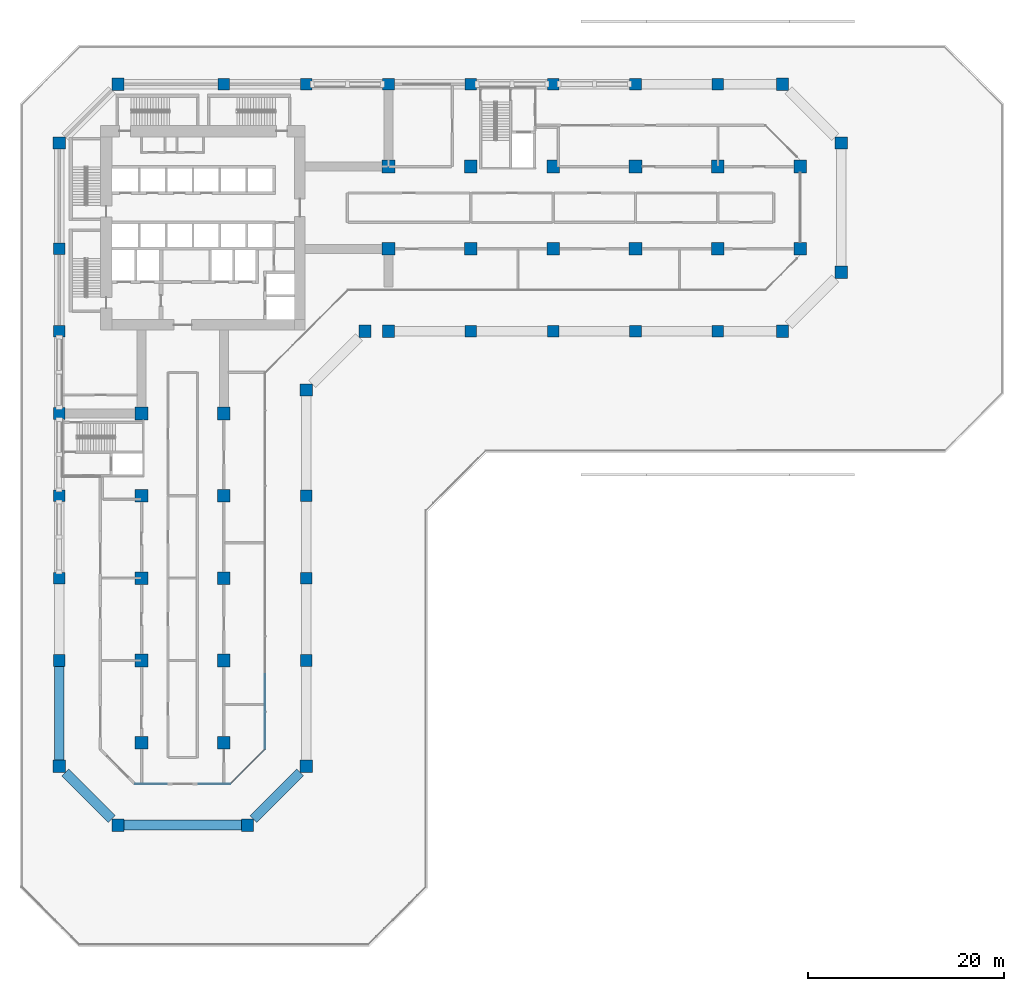
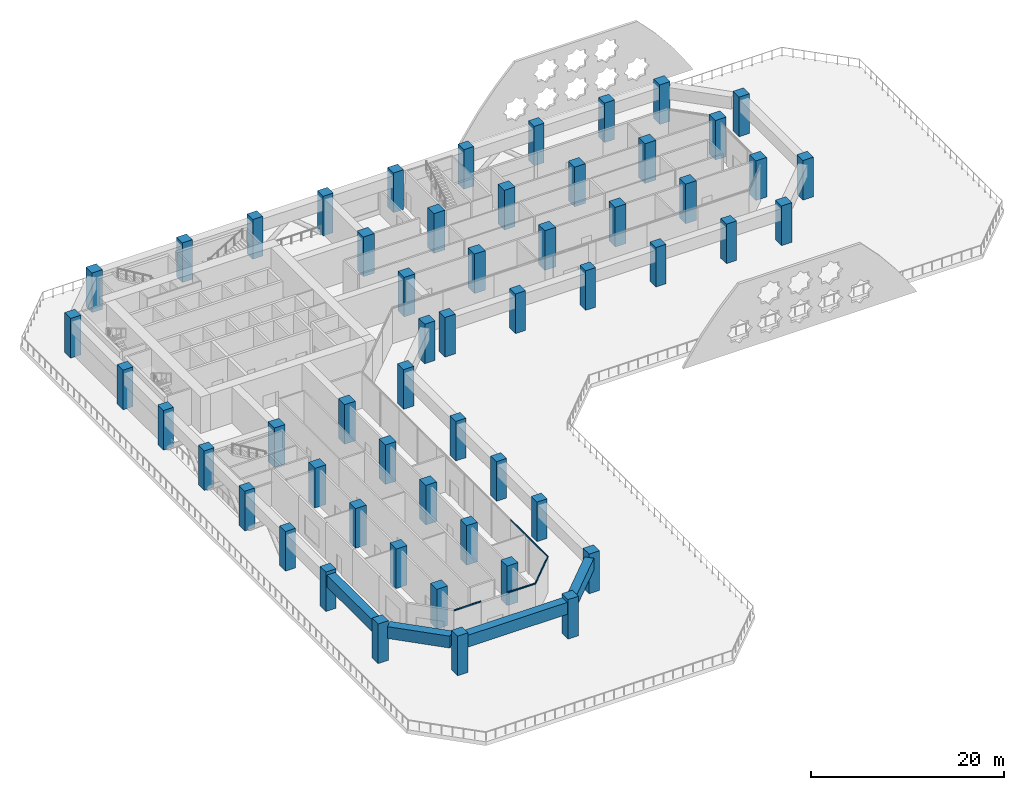
# One storey, part 1 of 19: 55 columns, 4 beams, 4 members, 3 elements without a shape of their own.
"""IFC4 building model written with IfcOpenShell, lengths in metres."""

from ifc_helpers import new_model, si_unit, direction, frame, origin, origin_2d, place, context, subcontext, project, spatial, rectangle, extrude, material, layer, layer_set, material_profile, profile_set, type_object, element, aggregate, save


model = new_model("IFC4")

# Units and contexts
model_context = context("Model", 3, precision=1e-05, world=origin(), true_north=direction((0.0, 1.0)))
body_context = subcontext(model_context, "Body", "Model", "MODEL_VIEW")
ifc_project = project(units=[si_unit("LENGTHUNIT", "METRE"), si_unit("AREAUNIT", "SQUARE_METRE"), si_unit("VOLUMEUNIT", "CUBIC_METRE"), si_unit("PLANEANGLEUNIT", "RADIAN"), si_unit("MASSUNIT", "GRAM", prefix="KILO")], contexts=[model_context])

# Site, building, storey
site_placement = place(None, origin())
site = spatial("IfcSite", under=ifc_project, at=site_placement, CompositionType="ELEMENT")
building_placement = place(site_placement, origin())
building = spatial("IfcBuilding", under=site, at=building_placement, Name="Kawkab Arch Medical Tower", CompositionType="ELEMENT")
storey_placement = place(building_placement, frame((0.0, 0.0, 34.199951171875)))
storey = spatial("IfcBuildingStorey", under=building, at=storey_placement, Name="L07", CompositionType="ELEMENT", Elevation=34.199951171875)

# Columns
ifc_material_1 = material(Name="Concrete C60/75", Category="concrete")
ifc_material_profile_1 = material_profile(ifc_material_1, rectangle(XDim=1.199951171875, YDim=1.199951171875, at=origin_2d()), Name="RC 1200x1200")
ifc_profile_set_1 = profile_set([ifc_material_profile_1], Name="Concrete C60/75")
column_type_1 = type_object("IfcColumnType", Name="RC 1200x1200 column C60/75", PredefinedType="COLUMN", material=ifc_profile_set_1)
for number, where, z_axis, x_axis, name in (
    (1, (16.800048828125, 0.0, 0.0), (0.0, 0.0, 1.0), (1.0, 0.0, 0.0), "Column RC 1200x1200"),
    (2, (25.199951171875, 0.0, 0.0), (0.0, 0.0, 1.0), (1.0, 0.0, 0.0), "Column RC 1200x1200"),
    (3, (33.60009765625, 0.0, 0.0), (0.0, 0.0, 1.0), (1.0, 0.0, 0.0), "Column RC 1200x1200"),
    (4, (42.0, 0.0, 0.0), (0.0, 0.0, 1.0), (1.0, 0.0, 0.0), "Column RC 1200x1200"),
    (5, (50.39990234375, 0.0, 0.0), (0.0, 0.0, 1.0), (1.0, 0.0, 0.0), "Column RC 1200x1200"),
    (6, (58.800048828125, 0.0, 0.0), (0.0, 0.0, 1.0), (1.0, 0.0, 0.0), "Column RC 1200x1200"),
    (7, (67.199951171875, 0.0, 0.0), (0.0, 0.0, 1.0), (1.0, 0.0, 0.0), "Column RC 1200x1200"),
    (8, (0.0, -16.800048828125, 0.0), (0.0, 0.0, 1.0), (1.0, 0.0, 0.0), "Column RC 1200x1200"),
    (9, (0.0, -25.199951171875, 0.0), (0.0, 0.0, 1.0), (1.0, 0.0, 0.0), "Column RC 1200x1200"),
    (10, (42.0, -25.199951171875, 0.0), (0.0, 0.0, 1.0), (1.0, 0.0, 0.0), "Column RC 1200x1200"),
    (11, (50.39990234375, -25.199951171875, 0.0), (0.0, 0.0, 1.0), (1.0, 0.0, 0.0), "Column RC 1200x1200"),
    (12, (58.800048828125, -25.199951171875, 0.0), (0.0, 0.0, 1.0), (1.0, 0.0, 0.0), "Column RC 1200x1200"),
    (13, (67.199951171875, -25.199951171875, 0.0), (0.0, 0.0, 1.0), (1.0, 0.0, 0.0), "Column RC 1200x1200"),
    (14, (0.0, -33.60009765625, 0.0), (0.0, 0.0, 1.0), (1.0, 0.0, 0.0), "Column RC 1200x1200"),
    (15, (0.0, -42.0, 0.0), (0.0, 0.0, 1.0), (1.0, 0.0, 0.0), "Column RC 1200x1200"),
    (16, (25.199951171875, -42.0, 0.0), (0.0, 0.0, 1.0), (1.0, 0.0, 0.0), "Column RC 1200x1200"),
    (17, (0.0, -50.39990234375, 0.0), (0.0, 0.0, 1.0), (1.0, 0.0, 0.0), "Column RC 1200x1200"),
    (18, (25.199951171875, -50.39990234375, 0.0), (0.0, 0.0, 1.0), (1.0, 0.0, 0.0), "Column RC 1200x1200"),
    (19, (0.0, -58.800048828125, 0.0), (0.0, 0.0, 1.0), (1.0, 0.0, 0.0), "Column RC 1200x1200"),
    (20, (25.199951171875, -58.800048828125, 0.0), (0.0, 0.0, 1.0), (1.0, 0.0, 0.0), "Column RC 1200x1200"),
):
    element("IfcColumn", number, at=place(storey_placement, frame(where, z_axis=z_axis, x_axis=x_axis)), inside=storey, type_object=column_type_1, Name=name, PredefinedType="COLUMN", context=body_context, shape_type="SweptSolid", body=[
        extrude(rectangle(XDim=1.199951171875, YDim=1.199951171875, at=origin_2d()), origin(), (0.0, 0.0, 1.0), 5.0),
    ])
ifc_material_2 = material(Name="Concrete C60/75", Category="concrete")
ifc_material_profile_2 = material_profile(ifc_material_2, rectangle(XDim=1.25, YDim=1.25, at=origin_2d()), Name="RC 1250x1250")
ifc_profile_set_2 = profile_set([ifc_material_profile_2], Name="Concrete C60/75")
column_type_2 = type_object("IfcColumnType", Name="RC 1250x1250 column C60/75", PredefinedType="COLUMN", material=ifc_profile_set_2)
for number, where, z_axis, x_axis, name in (
    (21, (6.0, 0.0, 0.0), (0.0, 0.0, 1.0), (1.0, 0.0, 0.0), "Column RC 1250x1250"),
    (22, (73.800048828125, 0.0, 0.0), (0.0, 0.0, 1.0), (1.0, 0.0, 0.0), "Column RC 1250x1250"),
    (23, (0.0, -6.0, 0.0), (0.0, 0.0, 1.0), (1.0, 0.0, 0.0), "Column RC 1250x1250"),
    (24, (79.800048828125, -6.0, 0.0), (0.0, 0.0, 1.0), (1.0, 0.0, 0.0), "Column RC 1250x1250"),
    (25, (79.800048828125, -19.199951171875, 0.0), (0.0, 0.0, 1.0), (1.0, 0.0, 0.0), "Column RC 1250x1250"),
    (26, (31.199951171875, -25.199951171875, 0.0), (0.0, 0.0, 1.0), (1.0, 0.0, 0.0), "Column RC 1250x1250"),
    (27, (73.800048828125, -25.199951171875, 0.0), (0.0, 0.0, 1.0), (1.0, 0.0, 0.0), "Column RC 1250x1250"),
    (28, (25.199951171875, -31.199951171875, 0.0), (0.0, 0.0, 1.0), (1.0, 0.0, 0.0), "Column RC 1250x1250"),
    (29, (0.0, -69.60009765625, 0.0), (0.0, 0.0, 1.0), (1.0, 0.0, 0.0), "Column RC 1250x1250"),
    (30, (25.199951171875, -69.60009765625, 0.0), (0.0, 0.0, 1.0), (1.0, 0.0, 0.0), "Column RC 1250x1250"),
    (31, (6.0, -75.60009765625, 0.0), (0.0, 0.0, 1.0), (1.0, 0.0, 0.0), "Column RC 1250x1250"),
    (32, (19.199951171875, -75.60009765625, 0.0), (0.0, 0.0, 1.0), (1.0, 0.0, 0.0), "Column RC 1250x1250"),
    (33, (33.60009765625, -25.199951171875, 0.0), (0.0, 0.0, 1.0), (1.0, 0.0, 0.0), "Column RC 1250x1250"),
):
    element("IfcColumn", number, at=place(storey_placement, frame(where, z_axis=z_axis, x_axis=x_axis)), inside=storey, type_object=column_type_2, Name=name, PredefinedType="COLUMN", context=body_context, shape_type="SweptSolid", body=[
        extrude(rectangle(XDim=1.25, YDim=1.25, at=origin_2d()), origin(), (0.0, 0.0, 1.0), 5.0),
    ])
ifc_material_3 = material(Name="Concrete C60/75", Category="concrete")
ifc_material_profile_3 = material_profile(ifc_material_3, rectangle(XDim=1.300048828125, YDim=1.300048828125, at=origin_2d()), Name="RC 1300x1300")
ifc_profile_set_3 = profile_set([ifc_material_profile_3], Name="Concrete C60/75")
column_type_3 = type_object("IfcColumnType", Name="RC 1300x1300 column C60/75", PredefinedType="COLUMN", material=ifc_profile_set_3)
for number, where, z_axis, x_axis, name in (
    (34, (33.60009765625, -8.39990234375, 0.0), (0.0, 0.0, 1.0), (1.0, 0.0, 0.0), "Column RC 1300x1300"),
    (35, (42.0, -8.39990234375, 0.0), (0.0, 0.0, 1.0), (1.0, 0.0, 0.0), "Column RC 1300x1300"),
    (36, (50.39990234375, -8.39990234375, 0.0), (0.0, 0.0, 1.0), (1.0, 0.0, 0.0), "Column RC 1300x1300"),
    (37, (58.800048828125, -8.39990234375, 0.0), (0.0, 0.0, 1.0), (1.0, 0.0, 0.0), "Column RC 1300x1300"),
    (38, (67.199951171875, -8.39990234375, 0.0), (0.0, 0.0, 1.0), (1.0, 0.0, 0.0), "Column RC 1300x1300"),
    (39, (75.60009765625, -8.39990234375, 0.0), (0.0, 0.0, 1.0), (1.0, 0.0, 0.0), "Column RC 1300x1300"),
    (40, (33.60009765625, -16.800048828125, 0.0), (0.0, 0.0, 1.0), (1.0, 0.0, 0.0), "Column RC 1300x1300"),
    (41, (42.0, -16.800048828125, 0.0), (0.0, 0.0, 1.0), (1.0, 0.0, 0.0), "Column RC 1300x1300"),
    (42, (50.39990234375, -16.800048828125, 0.0), (0.0, 0.0, 1.0), (1.0, 0.0, 0.0), "Column RC 1300x1300"),
    (43, (58.800048828125, -16.800048828125, 0.0), (0.0, 0.0, 1.0), (1.0, 0.0, 0.0), "Column RC 1300x1300"),
    (44, (67.199951171875, -16.800048828125, 0.0), (0.0, 0.0, 1.0), (1.0, 0.0, 0.0), "Column RC 1300x1300"),
    (45, (75.60009765625, -16.800048828125, 0.0), (0.0, 0.0, 1.0), (1.0, 0.0, 0.0), "Column RC 1300x1300"),
    (46, (8.39990234375, -33.60009765625, 0.0), (0.0, 0.0, 1.0), (1.0, 0.0, 0.0), "Column RC 1300x1300"),
    (47, (16.800048828125, -33.60009765625, 0.0), (0.0, 0.0, 1.0), (1.0, 0.0, 0.0), "Column RC 1300x1300"),
    (48, (8.39990234375, -42.0, 0.0), (0.0, 0.0, 1.0), (1.0, 0.0, 0.0), "Column RC 1300x1300"),
    (49, (16.800048828125, -42.0, 0.0), (0.0, 0.0, 1.0), (1.0, 0.0, 0.0), "Column RC 1300x1300"),
    (50, (8.39990234375, -50.39990234375, 0.0), (0.0, 0.0, 1.0), (1.0, 0.0, 0.0), "Column RC 1300x1300"),
    (51, (16.800048828125, -50.39990234375, 0.0), (0.0, 0.0, 1.0), (1.0, 0.0, 0.0), "Column RC 1300x1300"),
    (52, (8.39990234375, -58.800048828125, 0.0), (0.0, 0.0, 1.0), (1.0, 0.0, 0.0), "Column RC 1300x1300"),
    (53, (16.800048828125, -58.800048828125, 0.0), (0.0, 0.0, 1.0), (1.0, 0.0, 0.0), "Column RC 1300x1300"),
    (54, (8.39990234375, -67.199951171875, 0.0), (0.0, 0.0, 1.0), (1.0, 0.0, 0.0), "Column RC 1300x1300"),
    (55, (16.800048828125, -67.199951171875, 0.0), (0.0, 0.0, 1.0), (1.0, 0.0, 0.0), "Column RC 1300x1300"),
):
    element("IfcColumn", number, at=place(storey_placement, frame(where, z_axis=z_axis, x_axis=x_axis)), inside=storey, type_object=column_type_3, Name=name, PredefinedType="COLUMN", context=body_context, shape_type="SweptSolid", body=[
        extrude(rectangle(XDim=1.300048828125, YDim=1.300048828125, at=origin_2d()), origin(), (0.0, 0.0, 1.0), 5.0),
    ])

# Curtain wall, members
ifc_material_4 = material(Name="Bronze anodised aluminium curtain wall frame", Category="aluminium")
ifc_layer = layer(ifc_material_4, 0.159912109375)
ifc_layer_set = layer_set([ifc_layer], Name="Bronze anodised aluminium curtain wall frame")
curtain_wall_type = type_object("IfcCurtainWallType", Name="CW4 refuge floor fire-protected glazing", PredefinedType="NOTDEFINED", material=ifc_layer_set)
placement = place(storey_placement, origin())
curtain_wall_1 = element("IfcCurtainWall", 56, at=placement, inside=storey, type_object=curtain_wall_type, Name="CW4 Refuge floor fire-protected glazing R07", PredefinedType="NOTDEFINED")
ifc_material_5 = material(Name="Bronze anodised aluminium curtain wall frame", Category="aluminium")
ifc_material_profile_4 = material_profile(ifc_material_5, rectangle(XDim=0.080078125, YDim=0.159912109375, at=origin_2d()), Name="AL 80x160")
ifc_profile_set_4 = profile_set([ifc_material_profile_4], Name="Bronze anodised aluminium curtain wall frame")
member_type = type_object("IfcMemberType", Name="CW4 transom 160 x 80", PredefinedType="USERDEFINED", material=ifc_profile_set_4)
member_1_placement = place(storey_placement, frame((7.739990234375, -71.40087890625, 4.5), z_axis=(1.0, 0.0, 0.0), x_axis=(0.0, 1.0, 0.0)))
member_1 = element("IfcMember", 57, at=member_1_placement, type_object=member_type, Name="CW4 transom 1", ObjectType="TRANSOM", PredefinedType="USERDEFINED", context=body_context, shape_type="SweptSolid", body=[
    extrude(rectangle(XDim=0.080078125, YDim=0.159912109375, at=origin_2d()), origin(), (0.0, 0.0, 1.0), 3.239990234375),
])
member_2_placement = place(storey_placement, frame((14.219970703125, -71.40087890625, 4.5), z_axis=(1.0, 0.0, 0.0), x_axis=(0.0, 1.0, 0.0)))
member_2 = element("IfcMember", 58, at=member_2_placement, type_object=member_type, Name="CW4 transom 3", ObjectType="TRANSOM", PredefinedType="USERDEFINED", context=body_context, shape_type="SweptSolid", body=[
    extrude(rectangle(XDim=0.080078125, YDim=0.159912109375, at=origin_2d()), origin(), (0.0, 0.0, 1.0), 3.239990234375),
])
aggregate(curtain_wall_1, [member_1, member_2])

# Curtain wall, member
curtain_wall_2 = element("IfcCurtainWall", 59, at=placement, inside=storey, type_object=curtain_wall_type, Name="CW4 Refuge floor fire-protected glazing R08", PredefinedType="NOTDEFINED")
member_3_placement = place(storey_placement, frame((17.4599609375, -71.39990234375, 4.5), z_axis=(0.707131164599, 0.707082396933, 0.0), x_axis=(-0.707082396933, 0.707131164599, 0.0)))
member_3 = element("IfcMember", 60, at=member_3_placement, type_object=member_type, Name="CW4 transom 1", ObjectType="TRANSOM", PredefinedType="USERDEFINED", context=body_context, shape_type="SweptSolid", body=[
    extrude(rectangle(XDim=0.080078125, YDim=0.159912109375, at=origin_2d()), origin(), (0.0, 0.0, 1.0), 5.006103515625),
])
aggregate(curtain_wall_2, [member_3])

curtain_wall_3 = element("IfcCurtainWall", 61, at=placement, inside=storey, type_object=curtain_wall_type, Name="CW4 Refuge floor fire-protected glazing R09", PredefinedType="NOTDEFINED")
member_4_placement = place(storey_placement, frame((21.0, -67.860107421875, 4.5), z_axis=(0.0, 1.0, 0.0), x_axis=(-1.0, 0.0, 0.0)))
member_4 = element("IfcMember", 62, at=member_4_placement, type_object=member_type, Name="CW4 transom 1", ObjectType="TRANSOM", PredefinedType="USERDEFINED", context=body_context, shape_type="SweptSolid", body=[
    extrude(rectangle(XDim=0.080078125, YDim=0.159912109375, at=origin_2d()), origin(), (0.0, 0.0, 1.0), 7.68017578125),
])
aggregate(curtain_wall_3, [member_4])

# Beams
ifc_material_6 = material(Name="Concrete C60/75", Category="concrete")
ifc_material_profile_5 = material_profile(ifc_material_6, rectangle(XDim=1.0, YDim=1.5, at=origin_2d()), Name="RC 1000x1500")
ifc_profile_set_5 = profile_set([ifc_material_profile_5], Name="Concrete C60/75")
beam_type = type_object("IfcBeamType", Name="RC 1000x1500 beam C60/75", PredefinedType="SPANDREL", material=ifc_profile_set_5)
beam_1_placement = place(storey_placement, frame((24.574951171875, -70.22509765625, 3.830078125), z_axis=(-0.707106781187, -0.707106781187, 0.0), x_axis=(0.707106781187, -0.707106781187, 0.0)))
element("IfcBeam", 63, at=beam_1_placement, inside=storey, type_object=beam_type, Name="Belt beam L07-24", PredefinedType="SPANDREL", context=body_context, shape_type="SweptSolid", body=[
    extrude(rectangle(XDim=1.0, YDim=1.5, at=origin_2d()), origin(), (0.0, 0.0, 1.0), 6.717529296875),
])
beam_2_placement = place(storey_placement, frame((18.574951171875, -75.60009765625, 3.830078125), z_axis=(-1.0, 0.0, 0.0), x_axis=(0.0, -1.0, 0.0)))
element("IfcBeam", 64, at=beam_2_placement, inside=storey, type_object=beam_type, Name="Belt beam L07-25", PredefinedType="SPANDREL", context=body_context, shape_type="SweptSolid", body=[
    extrude(rectangle(XDim=1.0, YDim=1.5, at=origin_2d()), origin(), (0.0, 0.0, 1.0), 11.949951171875),
])
beam_3_placement = place(storey_placement, frame((5.375, -74.97509765625, 3.830078125), z_axis=(-0.707106781187, 0.707106781187, 0.0), x_axis=(-0.707106781187, -0.707106781187, 0.0)))
element("IfcBeam", 65, at=beam_3_placement, inside=storey, type_object=beam_type, Name="Belt beam L07-26", PredefinedType="SPANDREL", context=body_context, shape_type="SweptSolid", body=[
    extrude(rectangle(XDim=1.0, YDim=1.5, at=origin_2d()), origin(), (0.0, 0.0, 1.0), 6.717529296875),
])
beam_4_placement = place(storey_placement, frame((0.0, -68.97509765625, 3.830078125), z_axis=(0.0, 1.0, 0.0), x_axis=(-1.0, 0.0, 0.0)))
element("IfcBeam", 66, at=beam_4_placement, inside=storey, type_object=beam_type, Name="Belt beam L07-27", PredefinedType="SPANDREL", context=body_context, shape_type="SweptSolid", body=[
    extrude(rectangle(XDim=1.0, YDim=1.5, at=origin_2d()), origin(), (0.0, 0.0, 1.0), 9.5751953125),
])

save(model, "model.ifc")
